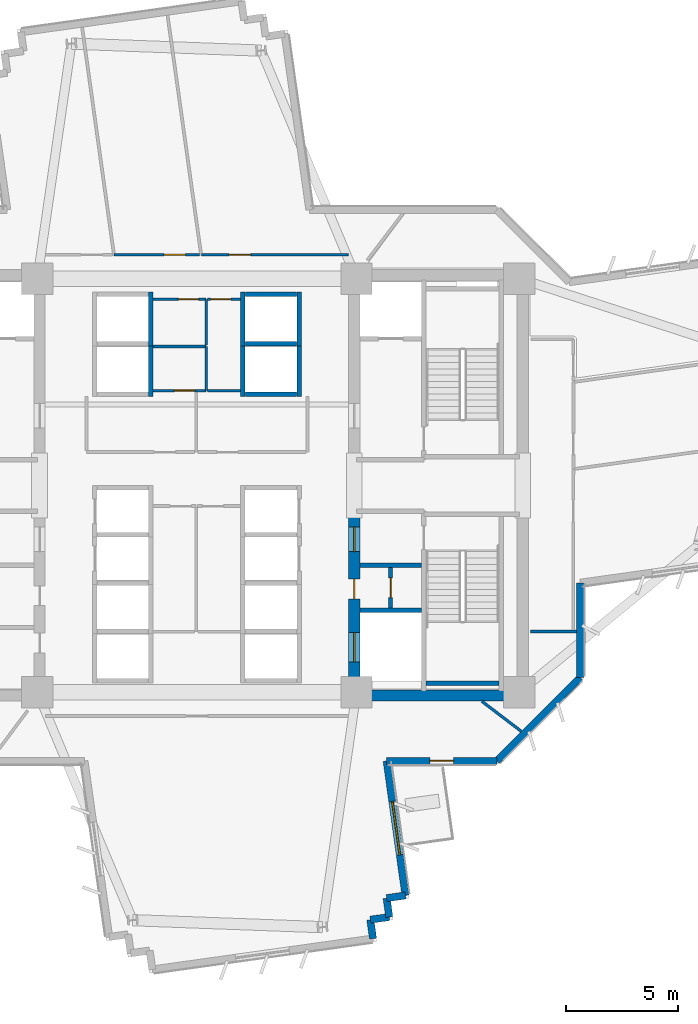
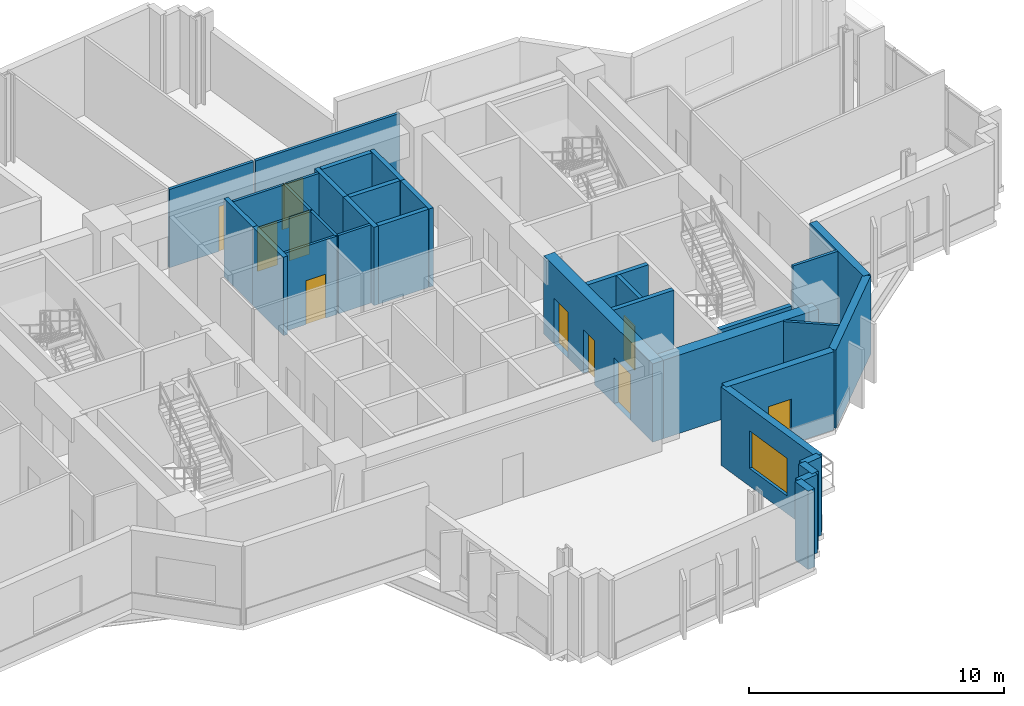
# One storey, part 8 of 14: 34 walls, 10 doors, 1 window, 11 openings.
"""IFC4 building model written with IfcOpenShell, lengths in metres."""

from ifc_helpers import new_model, si_unit, direction, frame, frame_2d, origin, place, context, subcontext, project, spatial, rectangle, extrude, source, transform, mapped, material, layer, layer_set, type_object, element, fill, save


model = new_model("IFC4")

# Units and contexts
model_context = context("Model", 3, precision=1e-05, world=origin(), true_north=direction((0.0, 1.0)))
body_context = subcontext(model_context, "Body", "Model", "MODEL_VIEW")
ifc_project = project(units=[si_unit("LENGTHUNIT", "METRE"), si_unit("AREAUNIT", "SQUARE_METRE"), si_unit("VOLUMEUNIT", "CUBIC_METRE"), si_unit("PLANEANGLEUNIT", "RADIAN"), si_unit("MASSUNIT", "GRAM", prefix="KILO")], contexts=[model_context])

# Site, building, storey
site_placement = place(None, origin())
site = spatial("IfcSite", under=ifc_project, at=site_placement, CompositionType="ELEMENT")
building_placement = place(site_placement, origin())
building = spatial("IfcBuilding", under=site, at=building_placement, Name="Zahravan Cultural Tower", CompositionType="ELEMENT")
storey_placement = place(building_placement, frame((0.0, 0.0, 121.5)))
storey = spatial("IfcBuildingStorey", under=building, at=storey_placement, Name="L27", CompositionType="ELEMENT", Elevation=121.5)

# Wall, openings, doors
ifc_material_1 = material(Name="Concrete C60/75", Category="concrete")
ifc_layer_1 = layer(ifc_material_1, 0.5)
ifc_layer_set_1 = layer_set([ifc_layer_1], Name="Concrete C60/75")
wall_type_1 = type_object("IfcWallType", Name="CW-SHEAR-500-C60", PredefinedType="SHEAR", material=ifc_layer_set_1)
wall_1_placement = place(storey_placement, frame((43.0, 17.39990234375, 0.0), z_axis=(0.0, 0.0, 1.0), x_axis=(0.0, 1.0, 0.0)))
wall_1 = element("IfcWall", 1, at=wall_1_placement, inside=storey, type_object=wall_type_1, Name="L27 Core Shear Wall CW-E-WS-L27", PredefinedType="SHEAR", context=body_context, shape_type="SweptSolid", body=[
    extrude(rectangle(XDim=8.550048828125, YDim=0.5, at=frame_2d((4.27490234375, 0.0))), origin(), (0.0, 0.0, 1.0), 3.75),
])
opening_1_placement = place(wall_1_placement, frame((6.64990234375, 0.0, 0.0)))
opening_1 = element("IfcOpeningElement", 2, at=opening_1_placement, cuts=wall_1, Name="Opening D-L27-08", PredefinedType="OPENING", context=body_context, shape_type="SweptSolid", body=[
    extrude(rectangle(XDim=1.10009765625, YDim=2.199951171875, at=frame_2d((0.550048828125, 1.10009765625))), frame((0.0, 0.260009765625, 0.0), z_axis=(0.0, -1.0, 0.0), x_axis=(1.0, 0.0, 0.0)), (0.0, 0.0, 1.0), 0.52001953125),
])
opening_2_placement = place(wall_1_placement, frame((1.75, 0.0, 0.0)))
opening_2 = element("IfcOpeningElement", 3, at=opening_2_placement, cuts=wall_1, Name="Opening LD-L27-03", PredefinedType="OPENING", context=body_context, shape_type="SweptSolid", body=[
    extrude(rectangle(XDim=1.300048828125, YDim=2.199951171875, at=frame_2d((0.64990234375, 1.10009765625))), frame((0.0, 0.260009765625, 0.0), z_axis=(0.0, -1.0, 0.0), x_axis=(1.0, 0.0, 0.0)), (0.0, 0.0, 1.0), 0.52001953125),
])
opening_3_placement = place(wall_1_placement, frame((4.550048828125, 0.0, 0.0)))
opening_3 = element("IfcOpeningElement", 4, at=opening_3_placement, cuts=wall_1, Name="Opening D-L27-11", PredefinedType="OPENING", context=body_context, shape_type="SweptSolid", body=[
    extrude(rectangle(XDim=0.8798828125, YDim=2.10009765625, at=frame_2d((0.43994140625, 1.050048828125))), frame((0.0, 0.260009765625, 0.0), z_axis=(0.0, -1.0, 0.0), x_axis=(1.0, 0.0, 0.0)), (0.0, 0.0, 1.0), 0.52001953125),
])
ifc_material_2 = material(Name="Steel ASTM A572 Grade 50", Category="steel")
door_type_1 = type_object("IfcDoorType", Name="DR-LOBBY-1100", OperationType="NOTDEFINED", PredefinedType="DOOR", material=ifc_material_2)
shared_shape_1 = source(origin(), body_context, "Body", "SweptSolid", [
    extrude(rectangle(XDim=1.10009765625, YDim=2.199951171875, at=frame_2d((0.550048828125, 1.10009765625))), frame((0.0, 0.02490234375, 0.0), z_axis=(0.0, -1.0, 0.0), x_axis=(1.0, 0.0, 0.0)), (0.0, 0.0, 1.0), 0.050048828125),
])
door_1_placement = place(opening_1_placement, origin())
door_1 = element("IfcDoor", 5, at=door_1_placement, inside=storey, type_object=door_type_1, Name="L27 Door D-L27-08", OperationType="SINGLE_SWING_RIGHT", OverallHeight=2.199951171875, OverallWidth=1.10009765625, PredefinedType="DOOR", context=body_context, shape_type="MappedRepresentation", body=[
    mapped(shared_shape_1, transform((0.0, 0.0, 0.0), x_axis=(1.0, 0.0, 0.0), y_axis=(0.0, 1.0, 0.0), z_axis=(0.0, 0.0, 1.0), scale=1.0)),
])
fill(opening_1, door_1)
door_type_2 = type_object("IfcDoorType", Name="DR-LIFT-1300", OperationType="DOUBLE_DOOR_SLIDING", PredefinedType="DOOR", material=ifc_material_2)
shared_shape_2 = source(origin(), body_context, "Body", "SweptSolid", [
    extrude(rectangle(XDim=1.300048828125, YDim=2.199951171875, at=frame_2d((0.64990234375, 1.10009765625))), frame((0.0, 0.02490234375, 0.0), z_axis=(0.0, -1.0, 0.0), x_axis=(1.0, 0.0, 0.0)), (0.0, 0.0, 1.0), 0.050048828125),
])
door_2_placement = place(opening_2_placement, origin())
door_2 = element("IfcDoor", 6, at=door_2_placement, inside=storey, type_object=door_type_2, Name="L27 Door LD-L27-03", OperationType="DOUBLE_DOOR_SLIDING", OverallHeight=2.199951171875, OverallWidth=1.300048828125, PredefinedType="DOOR", context=body_context, shape_type="MappedRepresentation", body=[
    mapped(shared_shape_2, transform((0.0, 0.0, 0.0), x_axis=(1.0, 0.0, 0.0), y_axis=(0.0, 1.0, 0.0), z_axis=(0.0, 0.0, 1.0), scale=1.0)),
])
fill(opening_2, door_2)
door_type_3 = type_object("IfcDoorType", Name="DR-SVC-880", OperationType="NOTDEFINED", PredefinedType="DOOR", material=ifc_material_2)
shared_shape_3 = source(origin(), body_context, "Body", "SweptSolid", [
    extrude(rectangle(XDim=0.8798828125, YDim=2.10009765625, at=frame_2d((0.43994140625, 1.050048828125))), frame((0.0, 0.02490234375, 0.0), z_axis=(0.0, -1.0, 0.0), x_axis=(1.0, 0.0, 0.0)), (0.0, 0.0, 1.0), 0.050048828125),
])
door_3_placement = place(opening_3_placement, origin())
door_3 = element("IfcDoor", 7, at=door_3_placement, inside=storey, type_object=door_type_3, Name="L27 Door D-L27-11", OperationType="SINGLE_SWING_LEFT", OverallHeight=2.10009765625, OverallWidth=0.8798828125, PredefinedType="DOOR", context=body_context, shape_type="MappedRepresentation", body=[
    mapped(shared_shape_3, transform((0.0, 0.0, 0.0), x_axis=(1.0, 0.0, 0.0), y_axis=(0.0, 1.0, 0.0), z_axis=(0.0, 0.0, 1.0), scale=1.0)),
])
fill(opening_3, door_3)

# Wall, opening, door
ifc_material_3 = material(Name="Precast concrete C40/50", Category="concrete")
ifc_layer_2 = layer(ifc_material_3, 0.320068359375)
ifc_layer_set_2 = layer_set([ifc_layer_2], Name="Precast concrete C40/50")
wall_type_2 = type_object("IfcWallType", Name="EW-TC-320", PredefinedType="SOLIDWALL", material=ifc_layer_set_2)
wall_2_placement = place(storey_placement, frame((49.342041015625, 14.739990234375, 0.0), z_axis=(0.0, 0.0, 1.0), x_axis=(-1.0, 0.0, 0.0)))
wall_2 = element("IfcWall", 8, at=wall_2_placement, inside=storey, type_object=wall_type_2, Name="L27 Exterior Masonry Frame Wall 13", PredefinedType="SOLIDWALL", context=body_context, shape_type="SweptSolid", body=[
    extrude(rectangle(XDim=4.898193359375, YDim=0.320068359375, at=frame_2d((2.44921875, 0.0))), origin(), (0.0, 0.0, 1.0), 3.75),
])
opening_4_placement = place(wall_2_placement, frame((1.924072265625, 0.0, 0.0)))
opening_4 = element("IfcOpeningElement", 9, at=opening_4_placement, cuts=wall_2, Name="Opening D-L27-TR-SE", PredefinedType="OPENING", context=body_context, shape_type="SweptSolid", body=[
    extrude(rectangle(XDim=1.050048828125, YDim=2.14990234375, at=frame_2d((0.52490234375, 1.074951171875))), frame((0.0, 0.169921875, 0.0), z_axis=(0.0, -1.0, 0.0), x_axis=(1.0, 0.0, 0.0)), (0.0, 0.0, 1.0), 0.340087890625),
])
ifc_material_4 = material(Name="Anodised bronze-aluminium mullion", Category="aluminium")
door_type_4 = type_object("IfcDoorType", Name="DR-TERR-1050", OperationType="NOTDEFINED", PredefinedType="DOOR", material=ifc_material_4)
shared_shape_4 = source(origin(), body_context, "Body", "SweptSolid", [
    extrude(rectangle(XDim=1.050048828125, YDim=2.14990234375, at=frame_2d((0.52490234375, 1.074951171875))), frame((0.0, 0.02490234375, 0.0), z_axis=(0.0, -1.0, 0.0), x_axis=(1.0, 0.0, 0.0)), (0.0, 0.0, 1.0), 0.050048828125),
])
door_4_placement = place(opening_4_placement, origin())
door_4 = element("IfcDoor", 10, at=door_4_placement, inside=storey, type_object=door_type_4, Name="L27 Terrace Access Door SE", OperationType="SINGLE_SWING_RIGHT", OverallHeight=2.14990234375, OverallWidth=1.050048828125, PredefinedType="DOOR", context=body_context, shape_type="MappedRepresentation", body=[
    mapped(shared_shape_4, transform((0.0, 0.0, 0.0), x_axis=(1.0, 0.0, 0.0), y_axis=(0.0, 1.0, 0.0), z_axis=(0.0, 0.0, 1.0), scale=1.0)),
])
fill(opening_4, door_4)

# Wall, opening, window
wall_3_placement = place(storey_placement, frame((44.44384765625, 14.739990234375, 0.0), z_axis=(0.0, 0.0, 1.0), x_axis=(0.138820507469, -0.990317558517, 0.0)))
wall_3 = element("IfcWall", 11, at=wall_3_placement, inside=storey, type_object=wall_type_2, Name="L27 Exterior Masonry Frame Wall 14", PredefinedType="SOLIDWALL", context=body_context, shape_type="SweptSolid", body=[
    extrude(rectangle(XDim=6.04638671875, YDim=0.320068359375, at=frame_2d((3.023193359375, 0.0))), origin(), (0.0, 0.0, 1.0), 3.75),
])
opening_5_placement = place(wall_3_placement, frame((1.822998046875, 0.0, 0.85009765625)))
opening_5 = element("IfcOpeningElement", 12, at=opening_5_placement, cuts=wall_3, Name="Opening WN-01", PredefinedType="OPENING", context=body_context, shape_type="SweptSolid", body=[
    extrude(rectangle(XDim=2.39990234375, YDim=1.800048828125, at=frame_2d((1.199951171875, 0.89990234375))), frame((0.0, 0.169921875, 0.0), z_axis=(0.0, -1.0, 0.0), x_axis=(1.0, 0.0, 0.0)), (0.0, 0.0, 1.0), 0.340087890625),
])
ifc_material_5 = material(Name="Low-E solar-control double glazing", Category="glass")
window_type = type_object("IfcWindowType", Name="WN-REC-2400X1800", PartitioningType="DOUBLE_PANEL_VERTICAL", PredefinedType="WINDOW", material=ifc_material_5)
shared_shape_5 = source(origin(), body_context, "Body", "SweptSolid", [
    extrude(rectangle(XDim=2.39990234375, YDim=1.800048828125, at=frame_2d((1.199951171875, 0.89990234375))), frame((0.0, 0.030029296875, 0.0), z_axis=(0.0, -1.0, 0.0), x_axis=(1.0, 0.0, 0.0)), (0.0, 0.0, 1.0), 0.06005859375),
])
window_placement = place(opening_5_placement, origin())
window = element("IfcWindow", 13, at=window_placement, inside=storey, type_object=window_type, Name="L27 Recessed Solar Window 03", OverallHeight=1.800048828125, OverallWidth=2.39990234375, PartitioningType="DOUBLE_PANEL_VERTICAL", PredefinedType="WINDOW", context=body_context, shape_type="MappedRepresentation", body=[
    mapped(shared_shape_5, transform((0.0, 0.0, 0.0), x_axis=(1.0, 0.0, 0.0), y_axis=(0.0, 1.0, 0.0), z_axis=(0.0, 0.0, 1.0), scale=1.0)),
])
fill(opening_5, window)

# Wall, opening, door
ifc_material_6 = material(Name="Gypsum plasterboard partition")
ifc_layer_3 = layer(ifc_material_6, 0.179931640625)
ifc_layer_set_3 = layer_set([ifc_layer_3], Name="Gypsum plasterboard partition")
wall_type_3 = type_object("IfcWallType", Name="W-COMP-180", PredefinedType="PARTITIONING", material=ifc_layer_set_3)
wall_4_placement = place(storey_placement, frame((44.6201171875, 21.550048828125, 0.0), z_axis=(0.0, 0.0, 1.0), x_axis=(0.0, 1.0, 0.0)))
wall_4 = element("IfcWall", 14, at=wall_4_placement, inside=storey, type_object=wall_type_3, Name="L27 Interior Wall 027", PredefinedType="PARTITIONING", context=body_context, shape_type="SweptSolid", body=[
    extrude(rectangle(XDim=1.800048828125, YDim=0.179931640625, at=frame_2d((0.89990234375, 0.0))), origin(), (0.0, 0.0, 1.0), 3.75),
])
opening_6_placement = place(wall_4_placement, frame((0.4599609375, 0.0, 0.0)))
opening_6 = element("IfcOpeningElement", 15, at=opening_6_placement, cuts=wall_4, Name="Opening D-L27-12", PredefinedType="OPENING", context=body_context, shape_type="SweptSolid", body=[
    extrude(rectangle(XDim=0.8798828125, YDim=2.10009765625, at=frame_2d((0.43994140625, 1.050048828125))), frame((0.0, 0.099853515625, 0.0), z_axis=(0.0, -1.0, 0.0), x_axis=(1.0, 0.0, 0.0)), (0.0, 0.0, 1.0), 0.199951171875),
])
door_5_placement = place(opening_6_placement, origin())
door_5 = element("IfcDoor", 16, at=door_5_placement, inside=storey, type_object=door_type_3, Name="L27 Door D-L27-12", OperationType="SINGLE_SWING_RIGHT", OverallHeight=2.10009765625, OverallWidth=0.8798828125, PredefinedType="DOOR", context=body_context, shape_type="MappedRepresentation", body=[
    mapped(shared_shape_3, transform((0.0, 0.0, 0.0), x_axis=(1.0, 0.0, 0.0), y_axis=(0.0, 1.0, 0.0), z_axis=(0.0, 0.0, 1.0), scale=1.0)),
])
fill(opening_6, door_5)

ifc_layer_4 = layer(ifc_material_6, 0.125)
ifc_layer_set_4 = layer_set([ifc_layer_4], Name="Gypsum plasterboard partition")
wall_type_4 = type_object("IfcWallType", Name="W-PART-125", PredefinedType="PARTITIONING", material=ifc_layer_set_4)
wall_5_placement = place(storey_placement, frame((36.119140625, 37.260009765625, 0.0), z_axis=(0.0, 0.0, 1.0), x_axis=(-1.0, 0.0, 0.0)))
wall_5 = element("IfcWall", 17, at=wall_5_placement, inside=storey, type_object=wall_type_4, Name="L27 Interior Wall 095", PredefinedType="PARTITIONING", context=body_context, shape_type="SweptSolid", body=[
    extrude(rectangle(XDim=3.809326171875, YDim=0.125, at=frame_2d((1.90478515625, 0.0))), origin(), (0.0, 0.0, 1.0), 3.75),
])
opening_7_placement = place(wall_5_placement, frame((0.62890625, 0.0, 0.0)))
opening_7 = element("IfcOpeningElement", 18, at=opening_7_placement, cuts=wall_5, Name="Opening D-L27-23", PredefinedType="OPENING", context=body_context, shape_type="SweptSolid", body=[
    extrude(rectangle(XDim=0.949951171875, YDim=2.14990234375, at=frame_2d((0.47509765625, 1.074951171875))), frame((0.0, 0.072509765625, 0.0), z_axis=(0.0, -1.0, 0.0), x_axis=(1.0, 0.0, 0.0)), (0.0, 0.0, 1.0), 0.14501953125),
])
door_type_5 = type_object("IfcDoorType", Name="DR-ROOM-950", OperationType="NOTDEFINED", PredefinedType="DOOR", material=ifc_material_4)
shared_shape_6 = source(origin(), body_context, "Body", "SweptSolid", [
    extrude(rectangle(XDim=0.949951171875, YDim=2.14990234375, at=frame_2d((0.47509765625, 1.074951171875))), frame((0.0, 0.02490234375, 0.0), z_axis=(0.0, -1.0, 0.0), x_axis=(1.0, 0.0, 0.0)), (0.0, 0.0, 1.0), 0.050048828125),
])
door_6_placement = place(opening_7_placement, origin())
door_6 = element("IfcDoor", 19, at=door_6_placement, inside=storey, type_object=door_type_5, Name="L27 Door D-L27-23", OperationType="SINGLE_SWING_LEFT", OverallHeight=2.14990234375, OverallWidth=0.949951171875, PredefinedType="DOOR", context=body_context, shape_type="MappedRepresentation", body=[
    mapped(shared_shape_6, transform((0.0, 0.0, 0.0), x_axis=(1.0, 0.0, 0.0), y_axis=(0.0, 1.0, 0.0), z_axis=(0.0, 0.0, 1.0), scale=1.0)),
])
fill(opening_7, door_6)

wall_6_placement = place(storey_placement, frame((42.742431640625, 37.259765625, 0.0), z_axis=(0.0, 0.0, 1.0), x_axis=(-0.999999999302, 3.7359435e-05, 0.0)))
wall_6 = element("IfcWall", 20, at=wall_6_placement, inside=storey, type_object=wall_type_4, Name="L27 Interior Wall 105", PredefinedType="PARTITIONING", context=body_context, shape_type="SweptSolid", body=[
    extrude(rectangle(XDim=6.534912109375, YDim=0.125, at=frame_2d((3.267578125, 0.0))), origin(), (0.0, 0.0, 1.0), 3.75),
])
opening_8_placement = place(wall_6_placement, frame((4.356201171875, 0.0, 0.0)))
opening_8 = element("IfcOpeningElement", 21, at=opening_8_placement, cuts=wall_6, Name="Opening D-L27-22", PredefinedType="OPENING", context=body_context, shape_type="SweptSolid", body=[
    extrude(rectangle(XDim=0.949951171875, YDim=2.14990234375, at=frame_2d((0.47509765625, 1.074951171875))), frame((0.0, 0.072509765625, 0.0), z_axis=(0.0, -1.0, 0.0), x_axis=(1.0, 0.0, 0.0)), (0.0, 0.0, 1.0), 0.14501953125),
])
door_7_placement = place(opening_8_placement, origin())
door_7 = element("IfcDoor", 22, at=door_7_placement, inside=storey, type_object=door_type_5, Name="L27 Door D-L27-22", OperationType="SINGLE_SWING_RIGHT", OverallHeight=2.14990234375, OverallWidth=0.949951171875, PredefinedType="DOOR", context=body_context, shape_type="MappedRepresentation", body=[
    mapped(shared_shape_6, transform((0.0, 0.0, 0.0), x_axis=(1.0, 0.0, 0.0), y_axis=(0.0, 1.0, 0.0), z_axis=(0.0, 0.0, 1.0), scale=1.0)),
])
fill(opening_8, door_7)

ifc_layer_5 = layer(ifc_material_6, 0.114990234375)
ifc_layer_set_5 = layer_set([ifc_layer_5], Name="Gypsum plasterboard partition")
wall_type_5 = type_object("IfcWallType", Name="W-WC-115", PredefinedType="PARTITIONING", material=ifc_layer_set_5)
wall_7_placement = place(storey_placement, frame((36.409912109375, 31.219970703125, 0.0), z_axis=(0.0, 0.0, 1.0), x_axis=(-1.0, 0.0, 0.0)))
wall_7 = element("IfcWall", 23, at=wall_7_placement, inside=storey, type_object=wall_type_5, Name="L27 Interior Wall 068", PredefinedType="PARTITIONING", context=body_context, shape_type="SweptSolid", body=[
    extrude(rectangle(XDim=2.35498046875, YDim=0.114990234375, at=frame_2d((1.177490234375, 0.0))), origin(), (0.0, 0.0, 1.0), 3.75),
])
opening_9_placement = place(wall_7_placement, frame((0.5166015625, 0.0, 0.0)))
opening_9 = element("IfcOpeningElement", 24, at=opening_9_placement, cuts=wall_7, Name="Opening D-L27-29", PredefinedType="OPENING", context=body_context, shape_type="SweptSolid", body=[
    extrude(rectangle(XDim=0.89990234375, YDim=2.10009765625, at=frame_2d((0.449951171875, 1.050048828125))), frame((0.0, 0.0673828125, 0.0), z_axis=(0.0, -1.0, 0.0), x_axis=(1.0, 0.0, 0.0)), (0.0, 0.0, 1.0), 0.135009765625),
])
door_type_6 = type_object("IfcDoorType", Name="DR-WC-900", OperationType="NOTDEFINED", PredefinedType="DOOR", material=ifc_material_4)
shared_shape_7 = source(origin(), body_context, "Body", "SweptSolid", [
    extrude(rectangle(XDim=0.89990234375, YDim=2.10009765625, at=frame_2d((0.449951171875, 1.050048828125))), frame((0.0, 0.02490234375, 0.0), z_axis=(0.0, -1.0, 0.0), x_axis=(1.0, 0.0, 0.0)), (0.0, 0.0, 1.0), 0.050048828125),
])
door_8_placement = place(opening_9_placement, origin())
door_8 = element("IfcDoor", 25, at=door_8_placement, inside=storey, type_object=door_type_6, Name="L27 Door D-L27-29", OperationType="SINGLE_SWING_LEFT", OverallHeight=2.10009765625, OverallWidth=0.89990234375, PredefinedType="DOOR", context=body_context, shape_type="MappedRepresentation", body=[
    mapped(shared_shape_7, transform((0.0, 0.0, 0.0), x_axis=(1.0, 0.0, 0.0), y_axis=(0.0, 1.0, 0.0), z_axis=(0.0, 0.0, 1.0), scale=1.0)),
])
fill(opening_9, door_8)

wall_8_placement = place(storey_placement, frame((34.054931640625, 35.280029296875, 0.0), z_axis=(0.0, 0.0, 1.0), x_axis=(1.0, 0.0, 0.0)))
wall_8 = element("IfcWall", 26, at=wall_8_placement, inside=storey, type_object=wall_type_5, Name="L27 Interior Wall 071", PredefinedType="PARTITIONING", context=body_context, shape_type="SweptSolid", body=[
    extrude(rectangle(XDim=2.35498046875, YDim=0.114990234375, at=frame_2d((1.177490234375, 0.0))), origin(), (0.0, 0.0, 1.0), 3.75),
])
opening_10_placement = place(wall_8_placement, frame((1.120849609375, 0.0, 0.0)))
opening_10 = element("IfcOpeningElement", 27, at=opening_10_placement, cuts=wall_8, Name="Opening D-L27-13", PredefinedType="OPENING", context=body_context, shape_type="SweptSolid", body=[
    extrude(rectangle(XDim=0.89990234375, YDim=2.10009765625, at=frame_2d((0.449951171875, 1.050048828125))), frame((0.0, 0.0673828125, 0.0), z_axis=(0.0, -1.0, 0.0), x_axis=(1.0, 0.0, 0.0)), (0.0, 0.0, 1.0), 0.135009765625),
])
door_9_placement = place(opening_10_placement, origin())
door_9 = element("IfcDoor", 28, at=door_9_placement, inside=storey, type_object=door_type_6, Name="L27 Door D-L27-13", OperationType="SINGLE_SWING_LEFT", OverallHeight=2.10009765625, OverallWidth=0.89990234375, PredefinedType="DOOR", context=body_context, shape_type="MappedRepresentation", body=[
    mapped(shared_shape_7, transform((0.0, 0.0, 0.0), x_axis=(1.0, 0.0, 0.0), y_axis=(0.0, 1.0, 0.0), z_axis=(0.0, 0.0, 1.0), scale=1.0)),
])
fill(opening_10, door_9)

wall_9_placement = place(storey_placement, frame((36.472412109375, 35.280029296875, 0.0), z_axis=(0.0, 0.0, 1.0), x_axis=(1.0, 0.0, 0.0)))
wall_9 = element("IfcWall", 29, at=wall_9_placement, inside=storey, type_object=wall_type_5, Name="L27 Interior Wall 074", PredefinedType="PARTITIONING", context=body_context, shape_type="SweptSolid", body=[
    extrude(rectangle(XDim=1.47265625, YDim=0.114990234375, at=frame_2d((0.736328125, 0.0))), origin(), (0.0, 0.0, 1.0), 3.75),
])
opening_11_placement = place(wall_9_placement, frame((0.139892578125, 0.0, 0.0)))
opening_11 = element("IfcOpeningElement", 30, at=opening_11_placement, cuts=wall_9, Name="Opening D-L27-14", PredefinedType="OPENING", context=body_context, shape_type="SweptSolid", body=[
    extrude(rectangle(XDim=0.89990234375, YDim=2.10009765625, at=frame_2d((0.449951171875, 1.050048828125))), frame((0.0, 0.0673828125, 0.0), z_axis=(0.0, -1.0, 0.0), x_axis=(1.0, 0.0, 0.0)), (0.0, 0.0, 1.0), 0.135009765625),
])
door_10_placement = place(opening_11_placement, origin())
door_10 = element("IfcDoor", 31, at=door_10_placement, inside=storey, type_object=door_type_6, Name="L27 Door D-L27-14", OperationType="SINGLE_SWING_RIGHT", OverallHeight=2.10009765625, OverallWidth=0.89990234375, PredefinedType="DOOR", context=body_context, shape_type="MappedRepresentation", body=[
    mapped(shared_shape_7, transform((0.0, 0.0, 0.0), x_axis=(1.0, 0.0, 0.0), y_axis=(0.0, 1.0, 0.0), z_axis=(0.0, 0.0, 1.0), scale=1.0)),
])
fill(opening_11, door_10)

# Walls
shared_shape_8 = source(origin(), body_context, "Body", "SweptSolid", [
    extrude(rectangle(XDim=7.0, YDim=0.5, at=frame_2d((3.5, 0.0))), origin(), (0.0, 0.0, 1.0), 3.75),
])
wall_10_placement = place(storey_placement, frame((43.25, 17.64990234375, 0.0), z_axis=(0.0, 0.0, 1.0), x_axis=(1.0, 0.0, 0.0)))
element("IfcWall", 32, at=wall_10_placement, inside=storey, type_object=wall_type_1, Name="L27 Core Shear Wall CW-E-S-L27", PredefinedType="SHEAR", context=body_context, shape_type="MappedRepresentation", body=[
    mapped(shared_shape_8, transform((0.0, 0.0, 0.0), x_axis=(1.0, 0.0, 0.0), y_axis=(0.0, 1.0, 0.0), z_axis=(0.0, 0.0, 1.0), scale=1.0)),
])
shared_shape_9 = source(origin(), body_context, "Body", "SweptSolid", [
    extrude(rectangle(XDim=0.85009765625, YDim=0.320068359375, at=frame_2d((0.425048828125, 0.0))), origin(), (0.0, 0.0, 1.0), 3.75),
])
for number, where, z_axis, x_axis, name in (
    (33, (45.283203125, 8.752197265625, 0.0), (0.0, 0.0, 1.0), (-0.990291202841, -0.139008393902, 0.0), "L27 Exterior Masonry Frame Wall 15"),
    (34, (44.44140625, 8.634033203125, 0.0), (0.0, 0.0, 1.0), (0.138726719425, -0.990330700987, 0.0), "L27 Exterior Masonry Frame Wall 16"),
    (35, (43.7177734375, 7.67431640625, 0.0), (0.0, 0.0, 1.0), (0.138726719425, -0.990330700987, 0.0), "L27 Exterior Masonry Frame Wall 18"),
):
    element("IfcWall", number, at=place(storey_placement, frame(where, z_axis=z_axis, x_axis=x_axis)), inside=storey, type_object=wall_type_2, Name=name, PredefinedType="SOLIDWALL", context=body_context, shape_type="MappedRepresentation", body=[
        mapped(shared_shape_9, transform((0.0, 0.0, 0.0), x_axis=(1.0, 0.0, 0.0), y_axis=(0.0, 1.0, 0.0), z_axis=(0.0, 0.0, 1.0), scale=1.0)),
    ])
shared_shape_10 = source(origin(), body_context, "Body", "SweptSolid", [
    extrude(rectangle(XDim=0.849853515625, YDim=0.320068359375, at=frame_2d((0.4248046875, 0.0))), origin(), (0.0, 0.0, 1.0), 3.75),
])
wall_11_placement = place(storey_placement, frame((44.559326171875, 7.792236328125, 0.0), z_axis=(0.0, 0.0, 1.0), x_axis=(-0.990325171071, -0.138766190202, 0.0)))
element("IfcWall", 36, at=wall_11_placement, inside=storey, type_object=wall_type_2, Name="L27 Exterior Masonry Frame Wall 17", PredefinedType="SOLIDWALL", context=body_context, shape_type="MappedRepresentation", body=[
    mapped(shared_shape_10, transform((0.0, 0.0, 0.0), x_axis=(1.0, 0.0, 0.0), y_axis=(0.0, 1.0, 0.0), z_axis=(0.0, 0.0, 1.0), scale=1.0)),
])
shared_shape_11 = source(origin(), body_context, "Body", "SweptSolid", [
    extrude(rectangle(XDim=4.20849609375, YDim=0.320068359375, at=frame_2d((2.104248046875, 0.0))), origin(), (0.0, 0.0, 1.0), 3.75),
])
wall_12_placement = place(storey_placement, frame((53.06005859375, 22.66650390625, 0.0), z_axis=(0.0, 0.0, 1.0), x_axis=(0.0, -1.0, 0.0)))
element("IfcWall", 37, at=wall_12_placement, inside=storey, type_object=wall_type_2, Name="L27 Exterior Masonry Frame Wall 11", PredefinedType="SOLIDWALL", context=body_context, shape_type="MappedRepresentation", body=[
    mapped(shared_shape_11, transform((0.0, 0.0, 0.0), x_axis=(1.0, 0.0, 0.0), y_axis=(0.0, 1.0, 0.0), z_axis=(0.0, 0.0, 1.0), scale=1.0)),
])
shared_shape_12 = source(origin(), body_context, "Body", "SweptSolid", [
    extrude(rectangle(XDim=5.258056640625, YDim=0.320068359375, at=frame_2d((2.62890625, 0.0))), origin(), (0.0, 0.0, 1.0), 3.75),
])
wall_13_placement = place(storey_placement, frame((53.06005859375, 18.4580078125, 0.0), z_axis=(0.0, 0.0, 1.0), x_axis=(-0.707106781187, -0.707106781187, 0.0)))
element("IfcWall", 38, at=wall_13_placement, inside=storey, type_object=wall_type_2, Name="L27 Exterior Masonry Frame Wall 12", PredefinedType="SOLIDWALL", context=body_context, shape_type="MappedRepresentation", body=[
    mapped(shared_shape_12, transform((0.0, 0.0, 0.0), x_axis=(1.0, 0.0, 0.0), y_axis=(0.0, 1.0, 0.0), z_axis=(0.0, 0.0, 1.0), scale=1.0)),
])
ifc_material_7 = material(Name="Concrete C45/55", Category="concrete")
ifc_layer_6 = layer(ifc_material_7, 0.199951171875)
ifc_layer_set_6 = layer_set([ifc_layer_6], Name="Concrete C45/55")
wall_type_6 = type_object("IfcWallType", Name="W-SHAFT-200", PredefinedType="SOLIDWALL", material=ifc_layer_set_6)
shared_shape_13 = source(origin(), body_context, "Body", "SweptSolid", [
    extrude(rectangle(XDim=3.25, YDim=0.199951171875, at=frame_2d((1.625, 0.0))), origin(), (0.0, 0.0, 1.0), 3.75),
])
wall_14_placement = place(storey_placement, frame((46.199951171875, 18.199951171875, 0.0), z_axis=(0.0, 0.0, 1.0), x_axis=(1.0, 0.0, 0.0)))
element("IfcWall", 39, at=wall_14_placement, inside=storey, type_object=wall_type_6, Name="L27 Interior Wall 020", PredefinedType="SOLIDWALL", context=body_context, shape_type="MappedRepresentation", body=[
    mapped(shared_shape_13, transform((0.0, 0.0, 0.0), x_axis=(1.0, 0.0, 0.0), y_axis=(0.0, 1.0, 0.0), z_axis=(0.0, 0.0, 1.0), scale=1.0)),
])
shared_shape_14 = source(origin(), body_context, "Body", "SweptSolid", [
    extrude(rectangle(XDim=2.75, YDim=0.199951171875, at=frame_2d((1.375, 0.0))), origin(), (0.0, 0.0, 1.0), 3.75),
])
for number, where, z_axis, x_axis, name in (
    (40, (43.25, 23.449951171875, 0.0), (0.0, 0.0, 1.0), (1.0, 0.0, 0.0), "L27 Interior Wall 024"),
    (41, (43.25, 21.449951171875, 0.0), (0.0, 0.0, 1.0), (1.0, 0.0, 0.0), "L27 Interior Wall 025"),
):
    element("IfcWall", number, at=place(storey_placement, frame(where, z_axis=z_axis, x_axis=x_axis)), inside=storey, type_object=wall_type_6, Name=name, PredefinedType="SOLIDWALL", context=body_context, shape_type="MappedRepresentation", body=[
        mapped(shared_shape_14, transform((0.0, 0.0, 0.0), x_axis=(1.0, 0.0, 0.0), y_axis=(0.0, 1.0, 0.0), z_axis=(0.0, 0.0, 1.0), scale=1.0)),
    ])
shared_shape_15 = source(origin(), body_context, "Body", "SweptSolid", [
    extrude(rectangle(XDim=2.400146484375, YDim=0.199951171875, at=frame_2d((1.2001953125, 0.0))), origin(), (0.0, 0.0, 1.0), 3.75),
])
for number, where, z_axis, x_axis, name in (
    (42, (33.949951171875, 33.199951171875, 0.0), (0.0, 0.0, 1.0), (0.0, 1.0, 0.0), "L27 Interior Wall 029"),
    (43, (33.949951171875, 30.949951171875, 0.0), (0.0, 0.0, 1.0), (0.0, 1.0, 0.0), "L27 Interior Wall 033"),
    (44, (38.050048828125, 33.199951171875, 0.0), (0.0, 0.0, 1.0), (0.0, 1.0, 0.0), "L27 Interior Wall 035"),
    (45, (40.550048828125, 33.199951171875, 0.0), (0.0, 0.0, 1.0), (0.0, 1.0, 0.0), "L27 Interior Wall 036"),
    (46, (38.050048828125, 30.949951171875, 0.0), (0.0, 0.0, 1.0), (0.0, 1.0, 0.0), "L27 Interior Wall 039"),
    (47, (40.550048828125, 30.949951171875, 0.0), (0.0, 0.0, 1.0), (0.0, 1.0, 0.0), "L27 Interior Wall 040"),
):
    element("IfcWall", number, at=place(storey_placement, frame(where, z_axis=z_axis, x_axis=x_axis)), inside=storey, type_object=wall_type_6, Name=name, PredefinedType="SOLIDWALL", context=body_context, shape_type="MappedRepresentation", body=[
        mapped(shared_shape_15, transform((0.0, 0.0, 0.0), x_axis=(1.0, 0.0, 0.0), y_axis=(0.0, 1.0, 0.0), z_axis=(0.0, 0.0, 1.0), scale=1.0)),
    ])
shared_shape_16 = source(origin(), body_context, "Body", "SweptSolid", [
    extrude(rectangle(XDim=2.260009765625, YDim=0.199951171875, at=frame_2d((1.1298828125, 0.0))), origin(), (0.0, 0.0, 1.0), 3.75),
])
for number, where, z_axis, x_axis, name in (
    (48, (38.169921875, 33.300048828125, 0.0), (0.0, 0.0, 1.0), (1.0, 0.0, 0.0), "L27 Interior Wall 037"),
    (49, (38.169921875, 35.5, 0.0), (0.0, 0.0, 1.0), (1.0, 0.0, 0.0), "L27 Interior Wall 038"),
    (50, (38.169921875, 31.050048828125, 0.0), (0.0, 0.0, 1.0), (1.0, 0.0, 0.0), "L27 Interior Wall 041"),
):
    element("IfcWall", number, at=place(storey_placement, frame(where, z_axis=z_axis, x_axis=x_axis)), inside=storey, type_object=wall_type_6, Name=name, PredefinedType="SOLIDWALL", context=body_context, shape_type="MappedRepresentation", body=[
        mapped(shared_shape_16, transform((0.0, 0.0, 0.0), x_axis=(1.0, 0.0, 0.0), y_axis=(0.0, 1.0, 0.0), z_axis=(0.0, 0.0, 1.0), scale=1.0)),
    ])
shared_shape_17 = source(origin(), body_context, "Body", "SweptSolid", [
    extrude(rectangle(XDim=2.35498046875, YDim=0.114990234375, at=frame_2d((1.177490234375, 0.0))), origin(), (0.0, 0.0, 1.0), 3.75),
])
wall_15_placement = place(storey_placement, frame((34.054931640625, 33.179931640625, 0.0), z_axis=(0.0, 0.0, 1.0), x_axis=(1.0, 0.0, 0.0)))
element("IfcWall", 51, at=wall_15_placement, inside=storey, type_object=wall_type_5, Name="L27 Interior Wall 069", PredefinedType="PARTITIONING", context=body_context, shape_type="MappedRepresentation", body=[
    mapped(shared_shape_17, transform((0.0, 0.0, 0.0), x_axis=(1.0, 0.0, 0.0), y_axis=(0.0, 1.0, 0.0), z_axis=(0.0, 0.0, 1.0), scale=1.0)),
])
shared_shape_18 = source(origin(), body_context, "Body", "SweptSolid", [
    extrude(rectangle(XDim=1.9599609375, YDim=0.114990234375, at=frame_2d((0.97998046875, 0.0))), origin(), (0.0, 0.0, 1.0), 3.75),
])
wall_16_placement = place(storey_placement, frame((36.409912109375, 33.179931640625, 0.0), z_axis=(0.0, 0.0, 1.0), x_axis=(0.0, -1.0, 0.0)))
element("IfcWall", 52, at=wall_16_placement, inside=storey, type_object=wall_type_5, Name="L27 Interior Wall 070", PredefinedType="PARTITIONING", context=body_context, shape_type="MappedRepresentation", body=[
    mapped(shared_shape_18, transform((0.0, 0.0, 0.0), x_axis=(1.0, 0.0, 0.0), y_axis=(0.0, 1.0, 0.0), z_axis=(0.0, 0.0, 1.0), scale=1.0)),
])
shared_shape_19 = source(origin(), body_context, "Body", "SweptSolid", [
    extrude(rectangle(XDim=2.0400390625, YDim=0.114990234375, at=frame_2d((1.02001953125, 0.0))), origin(), (0.0, 0.0, 1.0), 3.75),
])
wall_17_placement = place(storey_placement, frame((36.409912109375, 35.280029296875, 0.0), z_axis=(0.0, 0.0, 1.0), x_axis=(0.0, -1.0, 0.0)))
element("IfcWall", 53, at=wall_17_placement, inside=storey, type_object=wall_type_5, Name="L27 Interior Wall 072", PredefinedType="PARTITIONING", context=body_context, shape_type="MappedRepresentation", body=[
    mapped(shared_shape_19, transform((0.0, 0.0, 0.0), x_axis=(1.0, 0.0, 0.0), y_axis=(0.0, 1.0, 0.0), z_axis=(0.0, 0.0, 1.0), scale=1.0)),
])
shared_shape_20 = source(origin(), body_context, "Body", "SweptSolid", [
    extrude(rectangle(XDim=1.47265625, YDim=0.114990234375, at=frame_2d((0.736328125, 0.0))), origin(), (0.0, 0.0, 1.0), 3.75),
])
wall_18_placement = place(storey_placement, frame((37.945068359375, 31.219970703125, 0.0), z_axis=(0.0, 0.0, 1.0), x_axis=(-1.0, 0.0, 0.0)))
element("IfcWall", 54, at=wall_18_placement, inside=storey, type_object=wall_type_5, Name="L27 Interior Wall 073", PredefinedType="PARTITIONING", context=body_context, shape_type="MappedRepresentation", body=[
    mapped(shared_shape_20, transform((0.0, 0.0, 0.0), x_axis=(1.0, 0.0, 0.0), y_axis=(0.0, 1.0, 0.0), z_axis=(0.0, 0.0, 1.0), scale=1.0)),
])
shared_shape_21 = source(origin(), body_context, "Body", "SweptSolid", [
    extrude(rectangle(XDim=2.04736328125, YDim=0.125, at=frame_2d((1.023681640625, 0.0))), origin(), (0.0, 0.0, 1.0), 3.75),
])
wall_19_placement = place(storey_placement, frame((50.8525390625, 20.50244140625, 0.0), z_axis=(0.0, 0.0, 1.0), x_axis=(0.999999822254, -0.000596231709, 0.0)))
element("IfcWall", 55, at=wall_19_placement, inside=storey, type_object=wall_type_4, Name="L27 Interior Wall 102", PredefinedType="PARTITIONING", context=body_context, shape_type="MappedRepresentation", body=[
    mapped(shared_shape_21, transform((0.0, 0.0, 0.0), x_axis=(1.0, 0.0, 0.0), y_axis=(0.0, 1.0, 0.0), z_axis=(0.0, 0.0, 1.0), scale=1.0)),
])
shared_shape_22 = source(origin(), body_context, "Body", "SweptSolid", [
    extrude(rectangle(XDim=2.202880859375, YDim=0.125, at=frame_2d((1.1015625, 0.0))), origin(), (0.0, 0.0, 1.0), 3.75),
])
wall_20_placement = place(storey_placement, frame((50.42919921875, 16.060546875, 0.0), z_axis=(0.0, 0.0, 1.0), x_axis=(-0.795630117323, 0.605782730365, 0.0)))
element("IfcWall", 56, at=wall_20_placement, inside=storey, type_object=wall_type_4, Name="L27 Interior Wall 104", PredefinedType="PARTITIONING", context=body_context, shape_type="MappedRepresentation", body=[
    mapped(shared_shape_22, transform((0.0, 0.0, 0.0), x_axis=(1.0, 0.0, 0.0), y_axis=(0.0, 1.0, 0.0), z_axis=(0.0, 0.0, 1.0), scale=1.0)),
])

save(model, "model.ifc")
